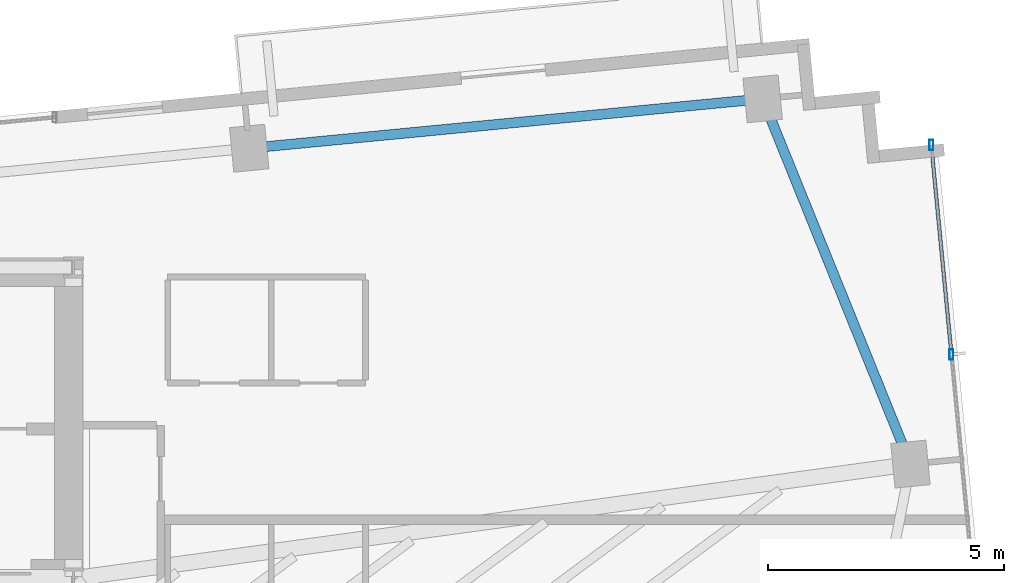
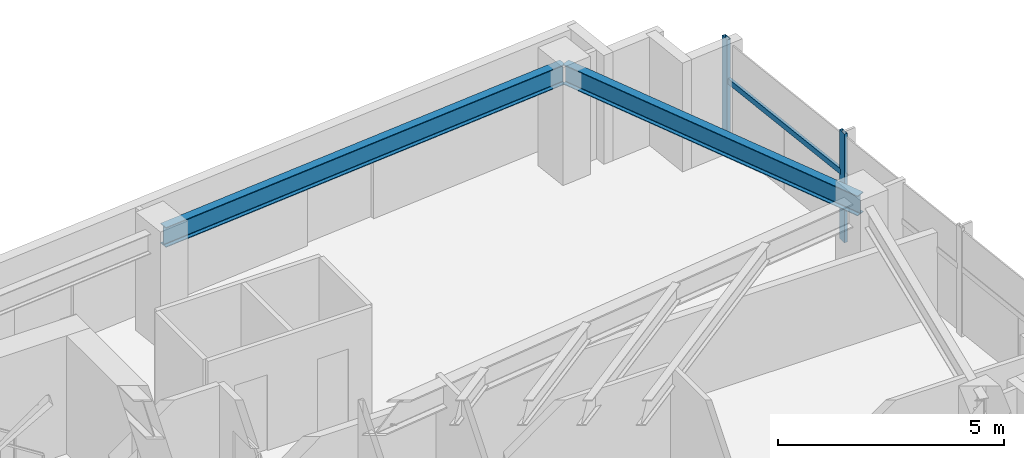
# One storey, part 11 of 18: 3 members, 2 beams, 1 element without a shape of its own.
"""IFC4 building model written with IfcOpenShell, lengths in metres."""

from ifc_helpers import new_model, si_unit, direction, frame, origin, origin_2d, place, context, subcontext, project, spatial, hollow_rectangle, i_section, extrude, source, transform, mapped, material, material_profile, profile_set, type_object, type_shapes, element, aggregate, save


model = new_model("IFC4")

# Units and contexts
model_context = context("Model", 3, precision=1e-05, world=origin(), true_north=direction((0.0, 1.0)))
body_context = subcontext(model_context, "Body", "Model", "MODEL_VIEW")
ifc_project = project(units=[si_unit("LENGTHUNIT", "METRE"), si_unit("AREAUNIT", "SQUARE_METRE"), si_unit("VOLUMEUNIT", "CUBIC_METRE"), si_unit("PLANEANGLEUNIT", "RADIAN"), si_unit("MASSUNIT", "GRAM", prefix="KILO")], contexts=[model_context])

# Site, building, storey
site_placement = place(None, origin())
site = spatial("IfcSite", under=ifc_project, at=site_placement, CompositionType="ELEMENT")
building_placement = place(site_placement, origin())
building = spatial("IfcBuilding", under=site, at=building_placement, Name="Astriad Promenade Condominiums", CompositionType="ELEMENT")
storey_placement = place(building_placement, frame((0.0, 0.0, 205.0)))
storey = spatial("IfcBuildingStorey", under=building, at=storey_placement, Name="L59", CompositionType="ELEMENT", Elevation=205.0)

# Beams
ifc_material_1 = material(Name="Steel ASTM A992 Grade 50", Category="steel")
ifc_material_profile_1 = material_profile(ifc_material_1, i_section(OverallWidth=0.210693359375, OverallDepth=0.53955078125, WebThickness=0.01171875, FlangeThickness=0.018798828125, FilletRadius=0.0166015625, at=origin_2d()), Name="W21X73")
ifc_profile_set_1 = profile_set([ifc_material_profile_1], Name="Steel ASTM A992 Grade 50")
beam_type = type_object("IfcBeamType", Name="STEEL SPANDREL BEAM W21X73", PredefinedType="SPANDREL", material=ifc_profile_set_1)
shared_shape_1 = source(origin(), body_context, "Body", "SweptSolid", [
    extrude(i_section(OverallWidth=0.210693359375, OverallDepth=0.53955078125, WebThickness=0.01171875, FlangeThickness=0.018798828125, FilletRadius=0.0166015625, at=origin_2d()), origin(), (0.0, 0.0, 1.0), 10.8701171875),
])
beam_1_placement = place(storey_placement, frame((60.190673828125, 27.578369140625, 2.67041015625), z_axis=(-0.995394986184, -0.09585834069, 0.0), x_axis=(0.09585834069, -0.995394986184, 0.0)))
element("IfcBeam", 1, at=beam_1_placement, inside=storey, type_object=beam_type, Name="Perimeter Spandrel Beam SP-N4-L59", PredefinedType="SPANDREL", context=body_context, shape_type="MappedRepresentation", body=[
    mapped(shared_shape_1, transform((0.0, 0.0, 0.0), scale=1.0)),
])
shared_shape_2 = source(origin(), body_context, "Body", "SweptSolid", [
    extrude(i_section(OverallWidth=0.210693359375, OverallDepth=0.53955078125, WebThickness=0.01171875, FlangeThickness=0.018798828125, FilletRadius=0.0166015625, at=origin_2d()), origin(), (0.0, 0.0, 1.0), 8.28564453125),
])
type_shapes(beam_type, [shared_shape_1, shared_shape_2])
beam_2_placement = place(storey_placement, frame((63.353271484375, 19.8642578125, 2.67041015625), z_axis=(-0.375070987134, 0.926996092014, 0.0), x_axis=(-0.926996092014, -0.375070987134, 0.0)))
element("IfcBeam", 2, at=beam_2_placement, inside=storey, type_object=beam_type, Name="Perimeter Spandrel Beam SP-E2-L59", PredefinedType="SPANDREL", context=body_context, shape_type="MappedRepresentation", body=[
    mapped(shared_shape_2, transform((0.0, 0.0, 0.0), scale=1.0)),
])

# Curtain wall, members
ifc_material_2 = material(Name="Anodised aluminium Black Dark Glass Unitised", Category="aluminium")
curtain_wall_type = type_object("IfcCurtainWallType", Name="CW-B34-DARK", PredefinedType="USERDEFINED", material=ifc_material_2)
curtain_wall_placement = place(storey_placement, origin())
curtain_wall = element("IfcCurtainWall", 3, at=curtain_wall_placement, inside=storey, type_object=curtain_wall_type, Name="CW-L59-E", ObjectType="UNITISED_CURTAIN_WALL", PredefinedType="USERDEFINED")
ifc_material_3 = material(Name="Anodised aluminium 6063-T6 Black", Category="aluminium")
ifc_material_profile_2 = material_profile(ifc_material_3, hollow_rectangle(XDim=0.0849609375, YDim=0.219970703125, WallThickness=0.0048828125, at=origin_2d()), Name="ALU-MUL-85X220")
ifc_profile_set_2 = profile_set([ifc_material_profile_2], Name="Anodised aluminium 6063-T6 Black")
member_type_1 = type_object("IfcMemberType", Name="MUL-ALU-MUL-85X220", PredefinedType="MULLION", material=ifc_profile_set_2)
shared_shape_3 = source(origin(), body_context, "Body", "SweptSolid", [
    extrude(hollow_rectangle(XDim=0.0849609375, YDim=0.219970703125, WallThickness=0.0048828125, at=origin_2d()), origin(), (0.0, 0.0, 1.0), 2.93994140625),
])
type_shapes(member_type_1, [shared_shape_3])
member_1_placement = place(storey_placement, frame((63.81103515625, 26.6005859375, 0.0), z_axis=(0.0, 0.0, 1.0), x_axis=(1.0, 0.0, 0.0)))
member_1 = element("IfcMember", 4, at=member_1_placement, type_object=member_type_1, Name="CW-L59-E-MUL-00", PredefinedType="MULLION", context=body_context, shape_type="MappedRepresentation", body=[
    mapped(shared_shape_3, transform((0.0, 0.0, 0.0), scale=1.0)),
])
member_2_placement = place(storey_placement, frame((64.239013671875, 22.154541015625, 0.0), z_axis=(0.0, 0.0, 1.0), x_axis=(1.0, 0.0, 0.0)))
member_2 = element("IfcMember", 5, at=member_2_placement, type_object=member_type_1, Name="CW-L59-E-MUL-01", PredefinedType="MULLION", context=body_context, shape_type="MappedRepresentation", body=[
    mapped(shared_shape_3, transform((0.0, 0.0, 0.0), scale=1.0)),
])
ifc_material_profile_3 = material_profile(ifc_material_3, hollow_rectangle(XDim=0.074951171875, YDim=0.14990234375, WallThickness=0.004150390625, at=origin_2d()), Name="ALU-TRN-75X150")
ifc_profile_set_3 = profile_set([ifc_material_profile_3], Name="Anodised aluminium 6063-T6 Black")
member_type_2 = type_object("IfcMemberType", Name="TRN-ALU-TRN-75X150", PredefinedType="USERDEFINED", material=ifc_profile_set_3)
shared_shape_4 = source(origin(), body_context, "Body", "SweptSolid", [
    extrude(hollow_rectangle(XDim=0.074951171875, YDim=0.14990234375, WallThickness=0.004150390625, at=origin_2d()), origin(), (0.0, 0.0, 1.0), 4.466552734375),
])
type_shapes(member_type_2, [shared_shape_4])
member_3_placement = place(storey_placement, frame((63.81103515625, 26.6005859375, 1.82275390625), z_axis=(0.095817598554, -0.995398908884, 0.0), x_axis=(0.995398908884, 0.095817598554, 0.0)))
member_3 = element("IfcMember", 6, at=member_3_placement, type_object=member_type_2, Name="CW-L59-E-TRN-00-0", ObjectType="TRANSOM", PredefinedType="USERDEFINED", context=body_context, shape_type="MappedRepresentation", body=[
    mapped(shared_shape_4, transform((0.0, 0.0, 0.0), scale=1.0)),
])
aggregate(curtain_wall, [member_1, member_2, member_3])

save(model, "model.ifc")
